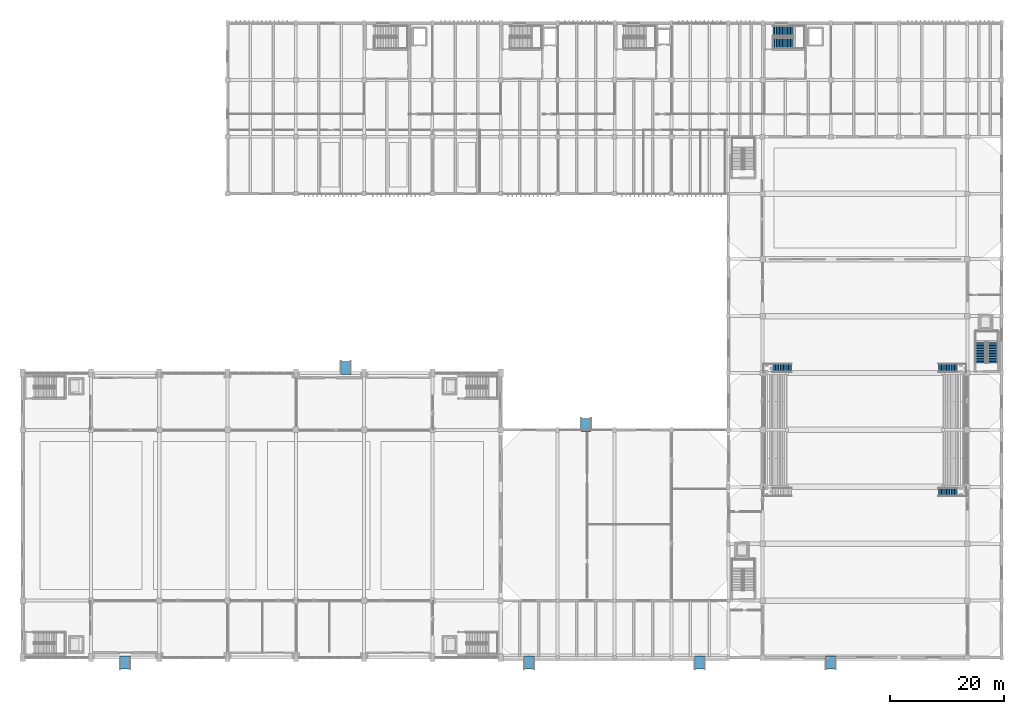
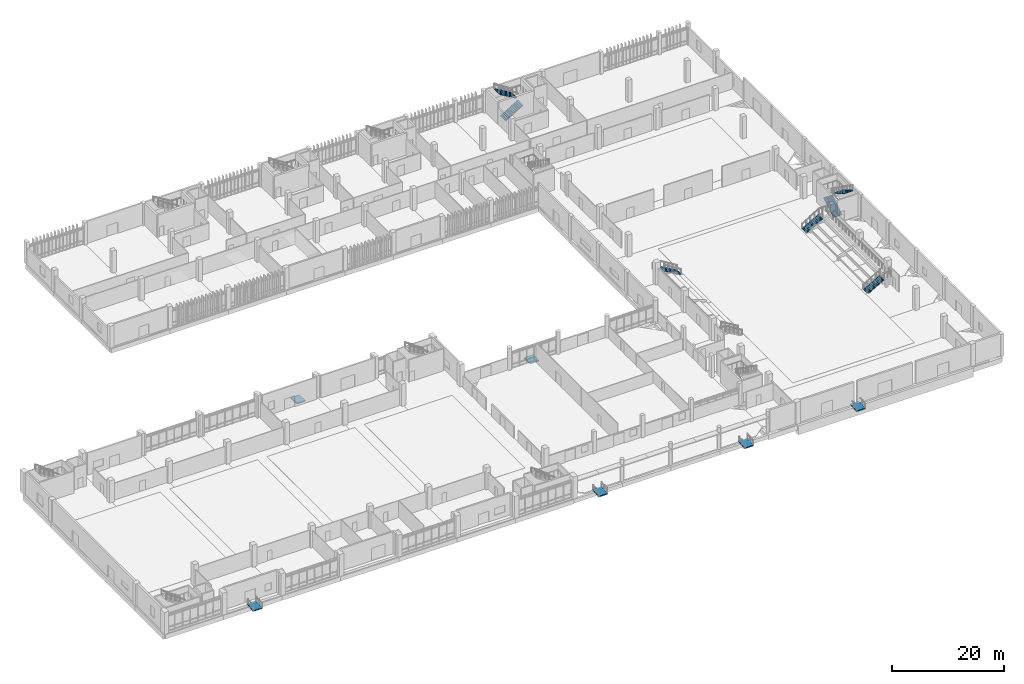
# One storey, part 80 of 87: 7 stair flights, 6 ramp flights, 11 elements without a shape of their own.
"""IFC4 building model written with IfcOpenShell, lengths in metres."""

from ifc_helpers import new_model, si_unit, direction, frame, origin, place, context, subcontext, project, spatial, polyline, outline, extrude, material, layer, layer_set, type_object, element, aggregate, save


model = new_model("IFC4")

# Units and contexts
model_context = context("Model", 3, precision=1e-05, world=origin(), true_north=direction((0.0, 1.0)))
body_context = subcontext(model_context, "Body", "Model", "MODEL_VIEW")
ifc_project = project(units=[si_unit("LENGTHUNIT", "METRE"), si_unit("AREAUNIT", "SQUARE_METRE"), si_unit("VOLUMEUNIT", "CUBIC_METRE"), si_unit("PLANEANGLEUNIT", "RADIAN"), si_unit("MASSUNIT", "GRAM", prefix="KILO")], contexts=[model_context])

# Site, building, storey
site_placement = place(None, origin())
site = spatial("IfcSite", under=ifc_project, at=site_placement, CompositionType="ELEMENT")
building_placement = place(site_placement, origin())
building = spatial("IfcBuilding", under=site, at=building_placement, Name="Mersad Railyard Sports Hall", CompositionType="ELEMENT")
storey_placement = place(building_placement, origin())
storey = spatial("IfcBuildingStorey", under=building, at=storey_placement, Name="L00", CompositionType="ELEMENT", Elevation=0.0)

# Stair, stair flights
ifc_material_1 = material(Name="Concrete C40/50", Category="concrete")
stair_type_1 = type_object("IfcStairType", Name="ARC-ST-ST04B", PredefinedType="HALF_TURN_STAIR", material=ifc_material_1)
stair_1_placement = place(storey_placement, origin())
stair_1 = element("IfcStair", 1, at=stair_1_placement, inside=storey, type_object=stair_type_1, Name="Core C4 Exit Stair L00-L01", PredefinedType="HALF_TURN_STAIR")
stair_flight_type_1 = type_object("IfcStairFlightType", Name="ARC-SF-ST04BF", PredefinedType="STRAIGHT", material=ifc_material_1)
stair_flight_1_placement = place(storey_placement, frame((138.85009765625, 111.429931640625, 0.0), z_axis=(0.0, 0.0, 1.0), x_axis=(1.0, 0.0, 0.0)))
stair_flight_1 = element("IfcStairFlight", 2, at=stair_flight_1_placement, type_object=stair_flight_type_1, Name="Core C4 Exit Stair L00-L01 Flight 1", NumberOfRisers=14, NumberOfTreads=13, PredefinedType="STRAIGHT", RiserHeight=0.171429, TreadLength=0.28, context=body_context, shape_type="SweptSolid", body=[
    extrude(outline(polyline([(0.0, 0.0), (0.0, 0.17138671875), (0.280029296875, 0.17138671875), (0.280029296875, 0.3427734375), (0.56005859375, 0.3427734375), (0.56005859375, 0.514404296875), (0.840087890625, 0.514404296875), (0.840087890625, 0.685791015625), (1.1201171875, 0.685791015625), (1.1201171875, 0.857177734375), (1.39990234375, 0.857177734375), (1.39990234375, 1.028564453125), (1.679931640625, 1.028564453125), (1.679931640625, 1.199951171875), (1.9599609375, 1.199951171875), (1.9599609375, 1.371337890625), (2.239990234375, 1.371337890625), (2.239990234375, 1.54296875), (2.52001953125, 1.54296875), (2.52001953125, 1.71435546875), (2.800048828125, 1.71435546875), (2.800048828125, 1.8857421875), (3.080078125, 1.8857421875), (3.080078125, 2.05712890625), (3.360107421875, 2.05712890625), (3.360107421875, 2.228515625), (3.639892578125, 2.228515625), (3.639892578125, 2.39990234375), (3.639892578125, 2.041015625), (0.30615234375, 0.0), (0.0, 0.0)])), frame((0.0, 0.91015625, 0.0), z_axis=(0.0, -1.0, 0.0), x_axis=(1.0, 0.0, 0.0)), (0.0, 0.0, 1.0), 1.820068359375),
])
stair_flight_2_placement = place(storey_placement, frame((142.489990234375, 113.570068359375, 2.39990234375), z_axis=(0.0, 0.0, 1.0), x_axis=(-1.0, 0.0, 0.0)))
stair_flight_2 = element("IfcStairFlight", 3, at=stair_flight_2_placement, type_object=stair_flight_type_1, Name="Core C4 Exit Stair L00-L01 Flight 2", NumberOfRisers=14, NumberOfTreads=13, PredefinedType="STRAIGHT", RiserHeight=0.171429, TreadLength=0.28, context=body_context, shape_type="SweptSolid", body=[
    extrude(outline(polyline([(0.0, 0.0), (0.0, 0.17138671875), (0.280029296875, 0.17138671875), (0.280029296875, 0.3427734375), (0.56005859375, 0.3427734375), (0.56005859375, 0.514404296875), (0.840087890625, 0.514404296875), (0.840087890625, 0.685791015625), (1.1201171875, 0.685791015625), (1.1201171875, 0.857177734375), (1.39990234375, 0.857177734375), (1.39990234375, 1.028564453125), (1.679931640625, 1.028564453125), (1.679931640625, 1.199951171875), (1.9599609375, 1.199951171875), (1.9599609375, 1.371337890625), (2.239990234375, 1.371337890625), (2.239990234375, 1.54296875), (2.52001953125, 1.54296875), (2.52001953125, 1.71435546875), (2.800048828125, 1.71435546875), (2.800048828125, 1.8857421875), (3.080078125, 1.8857421875), (3.080078125, 2.05712890625), (3.360107421875, 2.05712890625), (3.360107421875, 2.228515625), (3.639892578125, 2.228515625), (3.639892578125, 2.39990234375), (3.639892578125, 2.041015625), (0.30615234375, 0.0), (0.0, 0.0)])), frame((0.0, 0.91015625, 0.0), z_axis=(0.0, -1.0, 0.0), x_axis=(1.0, 0.0, 0.0)), (0.0, 0.0, 1.0), 1.820068359375),
])
aggregate(stair_1, [stair_flight_1, stair_flight_2])

stair_type_2 = type_object("IfcStairType", Name="ARC-ST-ST10A", PredefinedType="HALF_TURN_STAIR", material=ifc_material_1)
stair_2_placement = place(storey_placement, origin())
stair_2 = element("IfcStair", 4, at=stair_2_placement, inside=storey, type_object=stair_type_2, Name="Show Court East Exit Stair L00-L01", PredefinedType="HALF_TURN_STAIR")
stair_flight_type_2 = type_object("IfcStairFlightType", Name="ARC-SF-ST10AF", PredefinedType="STRAIGHT", material=ifc_material_1)
stair_flight_3_placement = place(storey_placement, frame((175.320068359375, 55.25, 0.0), z_axis=(0.0, 0.0, 1.0), x_axis=(0.0, 1.0, 0.0)))
stair_flight_3 = element("IfcStairFlight", 5, at=stair_flight_3_placement, type_object=stair_flight_type_2, Name="Show Court East Exit Stair L00-L01 Flight 1", NumberOfRisers=14, NumberOfTreads=13, PredefinedType="STRAIGHT", RiserHeight=0.171429, TreadLength=0.28, context=body_context, shape_type="SweptSolid", body=[
    extrude(outline(polyline([(0.0, 0.0), (0.0, 0.17138671875), (0.280029296875, 0.17138671875), (0.280029296875, 0.3427734375), (0.56005859375, 0.3427734375), (0.56005859375, 0.514404296875), (0.840087890625, 0.514404296875), (0.840087890625, 0.685791015625), (1.1201171875, 0.685791015625), (1.1201171875, 0.857177734375), (1.39990234375, 0.857177734375), (1.39990234375, 1.028564453125), (1.679931640625, 1.028564453125), (1.679931640625, 1.199951171875), (1.9599609375, 1.199951171875), (1.9599609375, 1.371337890625), (2.239990234375, 1.371337890625), (2.239990234375, 1.54296875), (2.52001953125, 1.54296875), (2.52001953125, 1.71435546875), (2.800048828125, 1.71435546875), (2.800048828125, 1.8857421875), (3.080078125, 1.8857421875), (3.080078125, 2.05712890625), (3.360107421875, 2.05712890625), (3.360107421875, 2.228515625), (3.639892578125, 2.228515625), (3.639892578125, 2.39990234375), (3.639892578125, 2.041015625), (0.30615234375, 0.0), (0.0, 0.0)])), frame((0.0, 0.89990234375, 0.0), z_axis=(0.0, -1.0, 0.0), x_axis=(1.0, 0.0, 0.0)), (0.0, 0.0, 1.0), 1.800048828125),
])
stair_flight_4_placement = place(storey_placement, frame((177.47998046875, 58.889892578125, 2.39990234375), z_axis=(0.0, 0.0, 1.0), x_axis=(0.0, -1.0, 0.0)))
stair_flight_4 = element("IfcStairFlight", 6, at=stair_flight_4_placement, type_object=stair_flight_type_2, Name="Show Court East Exit Stair L00-L01 Flight 2", NumberOfRisers=14, NumberOfTreads=13, PredefinedType="STRAIGHT", RiserHeight=0.171429, TreadLength=0.28, context=body_context, shape_type="SweptSolid", body=[
    extrude(outline(polyline([(0.0, 0.0), (0.0, 0.17138671875), (0.280029296875, 0.17138671875), (0.280029296875, 0.3427734375), (0.56005859375, 0.3427734375), (0.56005859375, 0.514404296875), (0.840087890625, 0.514404296875), (0.840087890625, 0.685791015625), (1.1201171875, 0.685791015625), (1.1201171875, 0.857177734375), (1.39990234375, 0.857177734375), (1.39990234375, 1.028564453125), (1.679931640625, 1.028564453125), (1.679931640625, 1.199951171875), (1.9599609375, 1.199951171875), (1.9599609375, 1.371337890625), (2.239990234375, 1.371337890625), (2.239990234375, 1.54296875), (2.52001953125, 1.54296875), (2.52001953125, 1.71435546875), (2.800048828125, 1.71435546875), (2.800048828125, 1.8857421875), (3.080078125, 1.8857421875), (3.080078125, 2.05712890625), (3.360107421875, 2.05712890625), (3.360107421875, 2.228515625), (3.639892578125, 2.228515625), (3.639892578125, 2.39990234375), (3.639892578125, 2.041015625), (0.30615234375, 0.0), (0.0, 0.0)])), frame((0.0, 0.89990234375, 0.0), z_axis=(0.0, -1.0, 0.0), x_axis=(1.0, 0.0, 0.0)), (0.0, 0.0, 1.0), 1.800048828125),
])
aggregate(stair_2, [stair_flight_3, stair_flight_4])

# Stair, stair flight
ifc_material_2 = material(Name="Precast concrete C45/55", Category="concrete")
stair_type_3 = type_object("IfcStairType", Name="ARC-ST-STV2", PredefinedType="STRAIGHT_RUN_STAIR", material=ifc_material_2)
stair_3_placement = place(storey_placement, origin())
stair_3 = element("IfcStair", 7, at=stair_3_placement, inside=storey, type_object=stair_type_3, Name="Show Court Vomitory Stair West North", PredefinedType="STRAIGHT_RUN_STAIR")
stair_flight_type_3 = type_object("IfcStairFlightType", Name="ARC-SF-STV2F", PredefinedType="STRAIGHT", material=ifc_material_2)
stair_flight_5_placement = place(storey_placement, frame((142.1201171875, 54.39990234375, 0.0), z_axis=(0.0, 0.0, 1.0), x_axis=(-1.0, 0.0, 0.0)))
stair_flight_5 = element("IfcStairFlight", 8, at=stair_flight_5_placement, type_object=stair_flight_type_3, Name="Show Court Vomitory Stair West North Flight", NumberOfRisers=13, NumberOfTreads=12, PredefinedType="STRAIGHT", RiserHeight=0.161538, TreadLength=0.285, context=body_context, shape_type="SweptSolid", body=[
    extrude(outline(polyline([(0.0, 0.0), (0.0, 0.16162109375), (0.284912109375, 0.16162109375), (0.284912109375, 0.322998046875), (0.570068359375, 0.322998046875), (0.570068359375, 0.484619140625), (0.85498046875, 0.484619140625), (0.85498046875, 0.646240234375), (1.139892578125, 0.646240234375), (1.139892578125, 0.8076171875), (1.425048828125, 0.8076171875), (1.425048828125, 0.96923828125), (1.7099609375, 0.96923828125), (1.7099609375, 1.130859375), (1.9951171875, 1.130859375), (1.9951171875, 1.292236328125), (2.280029296875, 1.292236328125), (2.280029296875, 1.453857421875), (2.56494140625, 1.453857421875), (2.56494140625, 1.615478515625), (2.85009765625, 1.615478515625), (2.85009765625, 1.77685546875), (3.135009765625, 1.77685546875), (3.135009765625, 1.9384765625), (3.419921875, 1.9384765625), (3.419921875, 2.10009765625), (3.419921875, 1.754638671875), (0.32421875, 0.0), (0.0, 0.0)])), frame((0.0, 0.75, 0.0), z_axis=(0.0, -1.0, 0.0), x_axis=(1.0, 0.0, 0.0)), (0.0, 0.0, 1.0), 1.5),
])
aggregate(stair_3, [stair_flight_5])

stair_type_4 = type_object("IfcStairType", Name="ARC-ST-STV3", PredefinedType="STRAIGHT_RUN_STAIR", material=ifc_material_2)
stair_4_placement = place(storey_placement, origin())
stair_4 = element("IfcStair", 9, at=stair_4_placement, inside=storey, type_object=stair_type_4, Name="Show Court Vomitory Stair East South", PredefinedType="STRAIGHT_RUN_STAIR")
stair_flight_type_4 = type_object("IfcStairFlightType", Name="ARC-SF-STV3F", PredefinedType="STRAIGHT", material=ifc_material_2)
stair_flight_6_placement = place(storey_placement, frame((167.8798828125, 32.60009765625, 0.0), z_axis=(0.0, 0.0, 1.0), x_axis=(1.0, 0.0, 0.0)))
stair_flight_6 = element("IfcStairFlight", 10, at=stair_flight_6_placement, type_object=stair_flight_type_4, Name="Show Court Vomitory Stair East South Flight", NumberOfRisers=13, NumberOfTreads=12, PredefinedType="STRAIGHT", RiserHeight=0.161538, TreadLength=0.285, context=body_context, shape_type="SweptSolid", body=[
    extrude(outline(polyline([(0.0, 0.0), (0.0, 0.16162109375), (0.284912109375, 0.16162109375), (0.284912109375, 0.322998046875), (0.570068359375, 0.322998046875), (0.570068359375, 0.484619140625), (0.85498046875, 0.484619140625), (0.85498046875, 0.646240234375), (1.139892578125, 0.646240234375), (1.139892578125, 0.8076171875), (1.425048828125, 0.8076171875), (1.425048828125, 0.96923828125), (1.7099609375, 0.96923828125), (1.7099609375, 1.130859375), (1.9951171875, 1.130859375), (1.9951171875, 1.292236328125), (2.280029296875, 1.292236328125), (2.280029296875, 1.453857421875), (2.56494140625, 1.453857421875), (2.56494140625, 1.615478515625), (2.85009765625, 1.615478515625), (2.85009765625, 1.77685546875), (3.135009765625, 1.77685546875), (3.135009765625, 1.9384765625), (3.419921875, 1.9384765625), (3.419921875, 2.10009765625), (3.419921875, 1.754638671875), (0.32421875, 0.0), (0.0, 0.0)])), frame((0.0, 0.75, 0.0), z_axis=(0.0, -1.0, 0.0), x_axis=(1.0, 0.0, 0.0)), (0.0, 0.0, 1.0), 1.5),
])
aggregate(stair_4, [stair_flight_6])

stair_type_5 = type_object("IfcStairType", Name="ARC-ST-STV4", PredefinedType="STRAIGHT_RUN_STAIR", material=ifc_material_2)
stair_5_placement = place(storey_placement, origin())
stair_5 = element("IfcStair", 11, at=stair_5_placement, inside=storey, type_object=stair_type_5, Name="Show Court Vomitory Stair East North", PredefinedType="STRAIGHT_RUN_STAIR")
stair_flight_type_5 = type_object("IfcStairFlightType", Name="ARC-SF-STV4F", PredefinedType="STRAIGHT", material=ifc_material_2)
stair_flight_7_placement = place(storey_placement, frame((167.8798828125, 54.39990234375, 0.0), z_axis=(0.0, 0.0, 1.0), x_axis=(1.0, 0.0, 0.0)))
stair_flight_7 = element("IfcStairFlight", 12, at=stair_flight_7_placement, type_object=stair_flight_type_5, Name="Show Court Vomitory Stair East North Flight", NumberOfRisers=13, NumberOfTreads=12, PredefinedType="STRAIGHT", RiserHeight=0.161538, TreadLength=0.285, context=body_context, shape_type="SweptSolid", body=[
    extrude(outline(polyline([(0.0, 0.0), (0.0, 0.16162109375), (0.284912109375, 0.16162109375), (0.284912109375, 0.322998046875), (0.570068359375, 0.322998046875), (0.570068359375, 0.484619140625), (0.85498046875, 0.484619140625), (0.85498046875, 0.646240234375), (1.139892578125, 0.646240234375), (1.139892578125, 0.8076171875), (1.425048828125, 0.8076171875), (1.425048828125, 0.96923828125), (1.7099609375, 0.96923828125), (1.7099609375, 1.130859375), (1.9951171875, 1.130859375), (1.9951171875, 1.292236328125), (2.280029296875, 1.292236328125), (2.280029296875, 1.453857421875), (2.56494140625, 1.453857421875), (2.56494140625, 1.615478515625), (2.85009765625, 1.615478515625), (2.85009765625, 1.77685546875), (3.135009765625, 1.77685546875), (3.135009765625, 1.9384765625), (3.419921875, 1.9384765625), (3.419921875, 2.10009765625), (3.419921875, 1.754638671875), (0.32421875, 0.0), (0.0, 0.0)])), frame((0.0, 0.75, 0.0), z_axis=(0.0, -1.0, 0.0), x_axis=(1.0, 0.0, 0.0)), (0.0, 0.0, 1.0), 1.5),
])
aggregate(stair_5, [stair_flight_7])

# Ramp, ramp flight
ramp_type = type_object("IfcRampType", Name="ARC-RM-R01", PredefinedType="STRAIGHT_RUN_RAMP", material=ifc_material_1)
ramp_1_placement = place(storey_placement, origin())
ramp_1 = element("IfcRamp", 13, at=ramp_1_placement, inside=storey, type_object=ramp_type, Name="South arcade west accessible threshold ramp", PredefinedType="STRAIGHT_RUN_RAMP")
ifc_layer = layer(ifc_material_1, 0.199951171875)
ifc_layer_set = layer_set([ifc_layer], Name="Concrete C40/50")
ramp_flight_type = type_object("IfcRampFlightType", Name="ARC-RF-RF01", PredefinedType="STRAIGHT", material=ifc_layer_set)
ramp_flight_1_placement = place(storey_placement, frame((96.0, 1.5, -0.14990234375), z_axis=(0.0, 0.0, 1.0), x_axis=(0.0, 1.0, 0.0)))
ramp_flight_1 = element("IfcRampFlight", 14, at=ramp_flight_1_placement, type_object=ramp_flight_type, Name="South arcade west accessible threshold ramp Flight", PredefinedType="STRAIGHT", context=body_context, shape_type="SweptSolid", body=[
    extrude(outline(polyline([(0.0, -0.199951171875), (0.0, 0.0), (2.300048828125, 0.14990234375), (2.300048828125, -0.050048828125), (0.0, -0.199951171875)])), frame((0.0, 0.89990234375, 0.0), z_axis=(0.0, -1.0, 0.0), x_axis=(1.0, 0.0, 0.0)), (0.0, 0.0, 1.0), 1.800048828125),
])
aggregate(ramp_1, [ramp_flight_1])

ramp_2_placement = place(storey_placement, origin())
ramp_2 = element("IfcRamp", 15, at=ramp_2_placement, inside=storey, type_object=ramp_type, Name="South arcade east accessible threshold ramp", PredefinedType="STRAIGHT_RUN_RAMP")
ramp_flight_2_placement = place(storey_placement, frame((126.0, 1.5, -0.14990234375), z_axis=(0.0, 0.0, 1.0), x_axis=(0.0, 1.0, 0.0)))
ramp_flight_2 = element("IfcRampFlight", 16, at=ramp_flight_2_placement, type_object=ramp_flight_type, Name="South arcade east accessible threshold ramp Flight", PredefinedType="STRAIGHT", context=body_context, shape_type="SweptSolid", body=[
    extrude(outline(polyline([(0.0, -0.199951171875), (0.0, 0.0), (2.300048828125, 0.14990234375), (2.300048828125, -0.050048828125), (0.0, -0.199951171875)])), frame((0.0, 0.89990234375, 0.0), z_axis=(0.0, -1.0, 0.0), x_axis=(1.0, 0.0, 0.0)), (0.0, 0.0, 1.0), 1.800048828125),
])
aggregate(ramp_2, [ramp_flight_2])

ramp_3_placement = place(storey_placement, origin())
ramp_3 = element("IfcRamp", 17, at=ramp_3_placement, inside=storey, type_object=ramp_type, Name="Plinth hall south accessible ramp", PredefinedType="STRAIGHT_RUN_RAMP")
ramp_flight_3_placement = place(storey_placement, frame((25.0, 1.5, -0.14990234375), z_axis=(0.0, 0.0, 1.0), x_axis=(0.0, 1.0, 0.0)))
ramp_flight_3 = element("IfcRampFlight", 18, at=ramp_flight_3_placement, type_object=ramp_flight_type, Name="Plinth hall south accessible ramp Flight", PredefinedType="STRAIGHT", context=body_context, shape_type="SweptSolid", body=[
    extrude(outline(polyline([(0.0, -0.199951171875), (0.0, 0.0), (2.300048828125, 0.14990234375), (2.300048828125, -0.050048828125), (0.0, -0.199951171875)])), frame((0.0, 0.89990234375, 0.0), z_axis=(0.0, -1.0, 0.0), x_axis=(1.0, 0.0, 0.0)), (0.0, 0.0, 1.0), 1.800048828125),
])
aggregate(ramp_3, [ramp_flight_3])

ramp_4_placement = place(storey_placement, origin())
ramp_4 = element("IfcRamp", 19, at=ramp_4_placement, inside=storey, type_object=ramp_type, Name="Courtyard west accessible ramp", PredefinedType="STRAIGHT_RUN_RAMP")
ramp_flight_4_placement = place(storey_placement, frame((63.800048828125, 55.5, -0.14990234375), z_axis=(0.0, 0.0, 1.0), x_axis=(0.0, -1.0, 0.0)))
ramp_flight_4 = element("IfcRampFlight", 20, at=ramp_flight_4_placement, type_object=ramp_flight_type, Name="Courtyard west accessible ramp Flight", PredefinedType="STRAIGHT", context=body_context, shape_type="SweptSolid", body=[
    extrude(outline(polyline([(0.0, -0.199951171875), (0.0, 0.0), (2.300048828125, 0.14990234375), (2.300048828125, -0.050048828125), (0.0, -0.199951171875)])), frame((0.0, 0.89990234375, 0.0), z_axis=(0.0, -1.0, 0.0), x_axis=(1.0, 0.0, 0.0)), (0.0, 0.0, 1.0), 1.800048828125),
])
aggregate(ramp_4, [ramp_flight_4])

ramp_5_placement = place(storey_placement, origin())
ramp_5 = element("IfcRamp", 21, at=ramp_5_placement, inside=storey, type_object=ramp_type, Name="Courtyard foyer accessible ramp", PredefinedType="STRAIGHT_RUN_RAMP")
ramp_flight_5_placement = place(storey_placement, frame((106.0, 45.5, -0.14990234375), z_axis=(0.0, 0.0, 1.0), x_axis=(0.0, -1.0, 0.0)))
ramp_flight_5 = element("IfcRampFlight", 22, at=ramp_flight_5_placement, type_object=ramp_flight_type, Name="Courtyard foyer accessible ramp Flight", PredefinedType="STRAIGHT", context=body_context, shape_type="SweptSolid", body=[
    extrude(outline(polyline([(0.0, -0.199951171875), (0.0, 0.0), (2.300048828125, 0.14990234375), (2.300048828125, -0.050048828125), (0.0, -0.199951171875)])), frame((0.0, 0.89990234375, 0.0), z_axis=(0.0, -1.0, 0.0), x_axis=(1.0, 0.0, 0.0)), (0.0, 0.0, 1.0), 1.800048828125),
])
aggregate(ramp_5, [ramp_flight_5])

ramp_6_placement = place(storey_placement, origin())
ramp_6 = element("IfcRamp", 23, at=ramp_6_placement, inside=storey, type_object=ramp_type, Name="Show court south accessible ramp", PredefinedType="STRAIGHT_RUN_RAMP")
ramp_flight_6_placement = place(storey_placement, frame((149.0, 1.5, -0.14990234375), z_axis=(0.0, 0.0, 1.0), x_axis=(0.0, 1.0, 0.0)))
ramp_flight_6 = element("IfcRampFlight", 24, at=ramp_flight_6_placement, type_object=ramp_flight_type, Name="Show court south accessible ramp Flight", PredefinedType="STRAIGHT", context=body_context, shape_type="SweptSolid", body=[
    extrude(outline(polyline([(0.0, -0.199951171875), (0.0, 0.0), (2.300048828125, 0.14990234375), (2.300048828125, -0.050048828125), (0.0, -0.199951171875)])), frame((0.0, 0.89990234375, 0.0), z_axis=(0.0, -1.0, 0.0), x_axis=(1.0, 0.0, 0.0)), (0.0, 0.0, 1.0), 1.800048828125),
])
aggregate(ramp_6, [ramp_flight_6])

save(model, "model.ifc")
